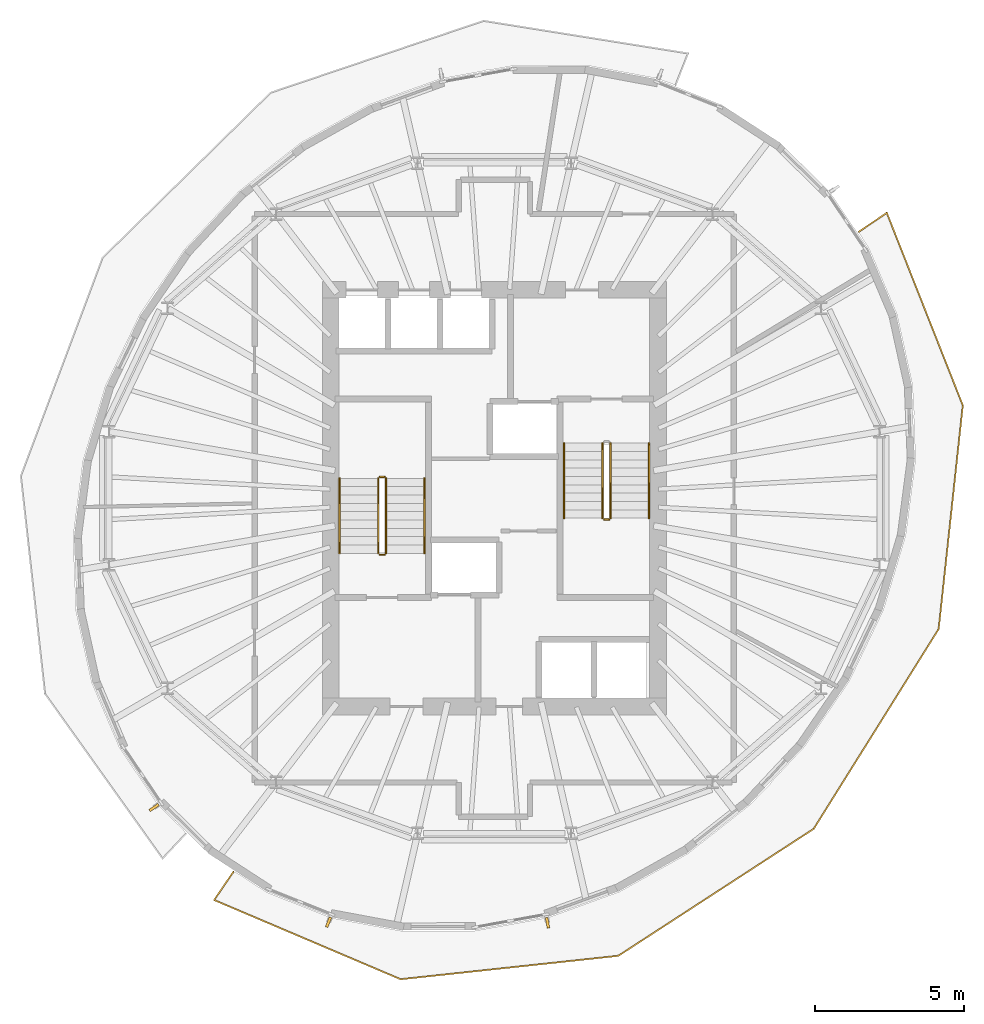
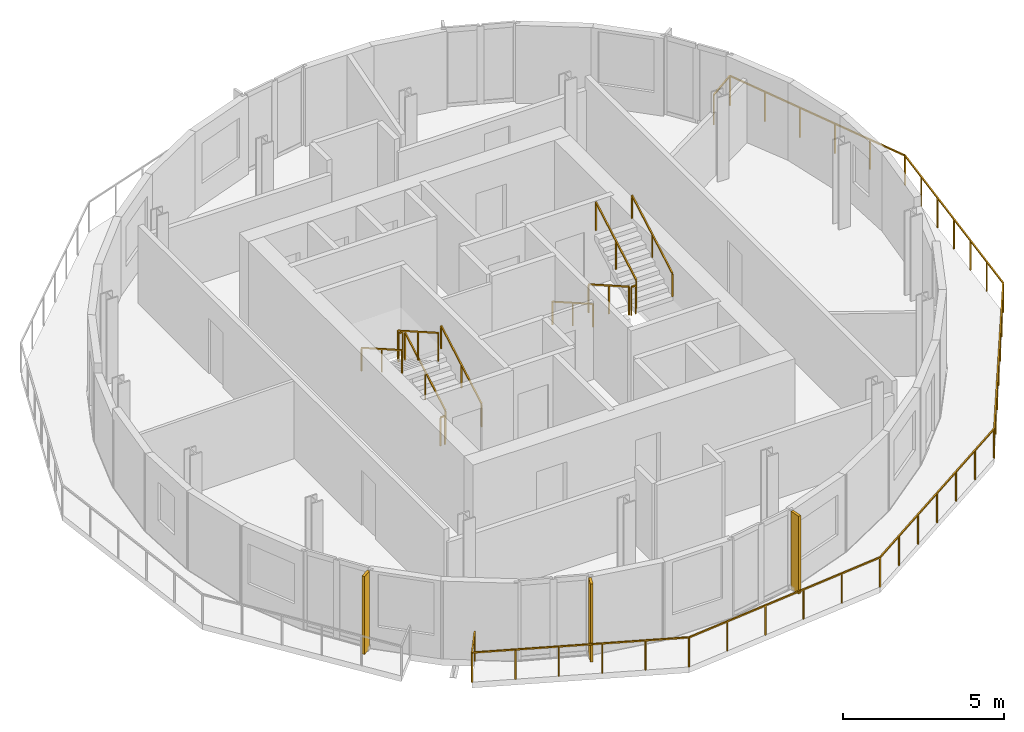
# One storey, part 7 of 9: 12 railings, 3 shading devices.
"""IFC4 building model written with IfcOpenShell, lengths in metres."""

import ifcopenshell
import ifcopenshell.guid

model = None  # the IFC model being written
_history = None  # IfcOwnerHistory: only IFC2X3 demands one
_inside = {}  # id of a spatial element -> (the spatial element, [elements in it])
_under = {}  # id of a project, library or spatial element -> (it, [spatial elements below it])
_declared = {}  # id of a project -> (the project, [libraries it declares])
_typed = {}  # id of a type object -> (the type object, [elements of that type])
_made_of = {}  # id of a material, layer set ... -> (it, [elements and type objects made of it])


def new_model(schema):
    """Start an empty IFC model of exactly this schema.

    Asked for "IFC4X3", IfcOpenShell would pick the latest addendum, in which some entities
    have other attributes; the version numbers below select the first issue.
    IFC2X3 requires an IfcOwnerHistory on every rooted entity: one is made here for all.
    """
    global model, _history
    if schema == "IFC4X3":
        model = ifcopenshell.file(schema_version=(4, 3, 0, 0))
    else:
        model = ifcopenshell.file(schema=schema)
    _inside.clear()
    _under.clear()
    _declared.clear()
    _typed.clear()
    _made_of.clear()
    _history = None
    if model.schema == "IFC2X3":
        org = make("IfcOrganization", Name="unknown")
        user = make(
            "IfcPersonAndOrganization",
            ThePerson=make("IfcPerson", FamilyName="unknown"),
            TheOrganization=org,
        )
        app = make(
            "IfcApplication",
            ApplicationDeveloper=org,
            Version="unknown",
            ApplicationFullName="unknown",
            ApplicationIdentifier="unknown",
        )
        _history = make(
            "IfcOwnerHistory",
            OwningUser=user,
            OwningApplication=app,
            ChangeAction="ADDED",
            CreationDate=0,
        )
    return model


def make(cls, **values):
    """One entity of the class cls with the attributes given. An attribute that is None is left unset."""
    return model.create_entity(
        cls, **{name: value for name, value in values.items() if value is not None}
    )


def rooted(cls, **values):
    """An entity with a GlobalId (a new one), such as an element, a storey or a relation."""
    return make(cls, GlobalId=ifcopenshell.guid.new(), OwnerHistory=_history, **values)


def si_unit(unit_type, name, prefix=None):
    """IfcSIUnit, for example si_unit("LENGTHUNIT", "METRE", prefix="MILLI")."""
    return make("IfcSIUnit", UnitType=unit_type, Prefix=prefix, Name=name)


def assignment(units):
    """IfcUnitAssignment: the units of a project."""
    return None if units is None else make("IfcUnitAssignment", Units=units)


def point(xyz):
    """IfcCartesianPoint."""
    return None if xyz is None else make("IfcCartesianPoint", Coordinates=xyz)


def direction(xyz):
    """IfcDirection."""
    return None if xyz is None else make("IfcDirection", DirectionRatios=xyz)


def frame(location, z_axis=None, x_axis=None):
    """IfcAxis2Placement3D, a coordinate frame: its origin and axes. An axis left out is left unset."""
    return make(
        "IfcAxis2Placement3D",
        Location=point(location),
        Axis=direction(z_axis),
        RefDirection=direction(x_axis),
    )


def frame_2d(location, x_axis=None):
    """IfcAxis2Placement2D, a coordinate frame in the plane: its origin and x axis."""
    return make(
        "IfcAxis2Placement2D", Location=point(location), RefDirection=direction(x_axis)
    )


def origin():
    """The frame at (0, 0, 0) with its axes left unset."""
    return frame((0.0, 0.0, 0.0))


def origin_2d():
    """The frame at (0, 0) in the plane with its x axis left unset."""
    return frame_2d((0.0, 0.0))


def place(relative_to, where):
    """IfcLocalPlacement: puts the frame where relative to a parent placement (None: the world)."""
    return make(
        "IfcLocalPlacement", PlacementRelTo=relative_to, RelativePlacement=where
    )


def context(
    kind, dimensions, precision=None, world=None, true_north=None, identifier=None
):
    """IfcGeometricRepresentationContext, for example the 3D "Model" context."""
    return make(
        "IfcGeometricRepresentationContext",
        ContextIdentifier=identifier,
        ContextType=kind,
        CoordinateSpaceDimension=dimensions,
        Precision=precision,
        WorldCoordinateSystem=world,
        TrueNorth=true_north,
    )


def subcontext(parent, identifier, kind, view, scale=None):
    """IfcGeometricRepresentationSubContext, for example "Body" below "Model"."""
    return make(
        "IfcGeometricRepresentationSubContext",
        ContextIdentifier=identifier,
        ContextType=kind,
        ParentContext=parent,
        TargetScale=scale,
        TargetView=view,
    )


def project(units=None, contexts=None):
    """IfcProject with its units and contexts."""
    return rooted(
        "IfcProject",
        Name="project",
        RepresentationContexts=contexts,
        UnitsInContext=assignment(units),
    )


def spatial(cls, under=None, at=None, **own):
    """A site, building, storey or space (cls), placed at a placement, below another one or the project."""
    s = rooted(cls, ObjectPlacement=at, **own)
    if under is not None:
        _under.setdefault(under.id(), (under, []))[1].append(s)
    return s


def profile(cls, at=None, kind="AREA", **sizes):
    """A parametric profile (cls). Its sizes go by their IFC names, for example OverallWidth=200.0."""
    return make(cls, ProfileType=kind, Position=at, **sizes)


def rectangle(**sizes):
    """IfcRectangleProfileDef."""
    return profile("IfcRectangleProfileDef", **sizes)


def extrude(swept, where, along, depth):
    """IfcExtrudedAreaSolid: the profile swept, set in the frame where, extruded along a direction by depth."""
    return make(
        "IfcExtrudedAreaSolid",
        SweptArea=swept,
        Position=where,
        ExtrudedDirection=direction(along),
        Depth=depth,
    )


def shape(context_of_items, identifier, shape_type, items):
    """IfcShapeRepresentation: the items that make up one representation, for example the "Body"."""
    return make(
        "IfcShapeRepresentation",
        ContextOfItems=context_of_items,
        RepresentationIdentifier=identifier,
        RepresentationType=shape_type,
        Items=items,
    )


def material(Name=None, Category=None):
    """IfcMaterial."""
    return make("IfcMaterial", Name=Name, Category=Category)


def layer(
    of_material, thickness, ventilated=None, Name=None, Category=None, Priority=None
):
    """IfcMaterialLayer: one layer of a wall or slab, of a material (None: an air gap)."""
    return make(
        "IfcMaterialLayer",
        Material=of_material,
        LayerThickness=thickness,
        IsVentilated=ventilated,
        Name=Name,
        Category=Category,
        Priority=Priority,
    )


def layer_set(layers, Name=None):
    """IfcMaterialLayerSet."""
    return make("IfcMaterialLayerSet", MaterialLayers=layers, LayerSetName=Name)


def made_of(thing, what):
    """Note that an element or type object is made of a material, layer set ...; save() writes the relation."""
    if what is not None:
        _made_of.setdefault(what.id(), (what, []))[1].append(thing)
    return thing


def type_object(cls, material=None, **own):
    """A type object (cls), such as IfcWallType, which elements share."""
    return made_of(rooted(cls, **own), material)


def element(
    cls,
    number,
    at=None,
    inside=None,
    cuts=None,
    type_object=None,
    material=None,
    context=None,
    identifier="Body",
    shape_type=None,
    held_by="IfcProductDefinitionShape",
    body=None,
    shapes=None,
    **own,
):
    """One element of the class cls, such as IfcWall. Its Tag is "e" and its number.

    at: its placement. inside: the storey or other place that contains it. cuts: it is an
    opening in that element (IfcRelVoidsElement). A single representation is given by context,
    identifier, shape_type and body (its items); several are given by shapes. held_by: the class
    of the entity that holds the representations. save() writes the other relations.
    """
    e = rooted(cls, Tag="e%d" % number, ObjectPlacement=at, **own)
    if body is not None:
        shapes = [shape(context, identifier, shape_type, body)]
    if shapes is not None:
        e.Representation = make(held_by, Representations=shapes)
    if inside is not None:
        _inside.setdefault(inside.id(), (inside, []))[1].append(e)
    if cuts is not None:
        rooted(
            "IfcRelVoidsElement", RelatingBuildingElement=cuts, RelatedOpeningElement=e
        )
    if type_object is not None:
        _typed.setdefault(type_object.id(), (type_object, []))[1].append(e)
    return made_of(e, material)


def aggregate(whole, parts):
    """IfcRelAggregates: a whole, such as a stair, and the parts it consists of."""
    return rooted("IfcRelAggregates", RelatingObject=whole, RelatedObjects=parts)


def save(model, path):
    """Write the relations noted so far, then the file.

    IfcRelAggregates (storeys below a building ...), IfcRelContainedInSpatialStructure (elements
    in a storey), IfcRelDefinesByType, IfcRelAssociatesMaterial and IfcRelDeclares: one each for
    every whole, place, type object, material and project.
    """
    for whole, parts in _under.values():
        aggregate(whole, parts)
    for where, things in _inside.values():
        rooted(
            "IfcRelContainedInSpatialStructure",
            RelatedElements=things,
            RelatingStructure=where,
        )
    for kind, things in _typed.values():
        rooted("IfcRelDefinesByType", RelatedObjects=things, RelatingType=kind)
    for what, things in _made_of.values():
        rooted("IfcRelAssociatesMaterial", RelatedObjects=things, RelatingMaterial=what)
    for by, libraries in _declared.values():
        rooted("IfcRelDeclares", RelatingContext=by, RelatedDefinitions=libraries)
    model.write(path)


model = new_model("IFC4")

# Units and contexts
model_context = context("Model", 3, precision=1e-05, world=origin(), true_north=direction((0.0, 1.0)))
body_context = subcontext(model_context, "Body", "Model", "MODEL_VIEW")
ifc_project = project(units=[si_unit("LENGTHUNIT", "METRE"), si_unit("AREAUNIT", "SQUARE_METRE"), si_unit("VOLUMEUNIT", "CUBIC_METRE"), si_unit("PLANEANGLEUNIT", "RADIAN"), si_unit("MASSUNIT", "GRAM", prefix="KILO")], contexts=[model_context])

# Site, building, storey
site_placement = place(None, origin())
site = spatial("IfcSite", under=ifc_project, at=site_placement, CompositionType="ELEMENT")
building_placement = place(site_placement, origin())
building = spatial("IfcBuilding", under=site, at=building_placement, Name="Veldorim Arch Residences", CompositionType="ELEMENT")
storey_placement = place(building_placement, frame((0.0, 0.0, 204.639892578125)))
storey = spatial("IfcBuildingStorey", under=building, at=storey_placement, Name="L61", CompositionType="ELEMENT", Elevation=204.639892578125)

# Railings
ifc_material_1 = material(Name="Aluminium", Category="aluminium")
railing_type_1 = type_object("IfcRailingType", Name="Balcony & Terrace Laminated Glass Balustrade 1150", PredefinedType="BALUSTRADE", material=ifc_material_1)
railing_1_placement = place(storey_placement, frame((23.23388671875, 11.44921875, 0.0)))
element("IfcRailing", 1, at=railing_1_placement, inside=storey, type_object=railing_type_1, Name="L61 crescent balcony safety balustrade B", PredefinedType="BALUSTRADE", context=body_context, shape_type="SweptSolid", body=[
    extrude(rectangle(XDim=0.048095703125, YDim=0.048095703125, at=origin_2d()), frame((0.0, 0.0, 1.1259765625), z_axis=(-0.564364181434, -0.825525935822, 0.0), x_axis=(0.825525935822, -0.564364181434, 0.0)), (0.0, 0.0, 1.0), 1.14990234375),
    extrude(rectangle(XDim=0.048095703125, YDim=0.048095703125, at=origin_2d()), frame((-0.64892578125, -0.94921875, 1.1259765625), z_axis=(0.920348019148, -0.391100400984, 0.0), x_axis=(0.391100400984, 0.920348019148, 0.0)), (0.0, 0.0, 1.0), 6.809326171875),
    extrude(rectangle(XDim=0.048095703125, YDim=0.048095703125, at=origin_2d()), frame((5.617919921875, -3.6123046875, 1.1259765625), z_axis=(0.994253151053, 0.107054526394, 0.0), x_axis=(-0.107054526394, 0.994253151053, 0.0)), (0.0, 0.0, 1.0), 7.35693359375),
    extrude(rectangle(XDim=0.048095703125, YDim=0.048095703125, at=origin_2d()), frame((12.9326171875, -2.82470703125, 1.1259765625), z_axis=(0.838501303657, 0.544899590535, 0.0), x_axis=(-0.544899590535, 0.838501303657, 0.0)), (0.0, 0.0, 1.0), 7.831298828125),
    extrude(rectangle(XDim=0.048095703125, YDim=0.048095703125, at=origin_2d()), frame((19.499267578125, 1.442626953125, 1.1259765625), z_axis=(0.53010978239, 0.847929017439, 0.0), x_axis=(-0.847929017439, 0.53010978239, 0.0)), (0.0, 0.0, 1.0), 7.919189453125),
    extrude(rectangle(XDim=0.048095703125, YDim=0.048095703125, at=origin_2d()), frame((23.697265625, 8.157470703125, 1.1259765625), z_axis=(0.1072815657, 0.994228678756, 0.0), x_axis=(-0.994228678756, 0.1072815657, 0.0)), (0.0, 0.0, 1.0), 7.555419921875),
    extrude(rectangle(XDim=0.048095703125, YDim=0.048095703125, at=origin_2d()), frame((24.5078125, 15.669189453125, 1.1259765625), z_axis=(-0.367205688445, 0.930139764967, 0.0), x_axis=(-0.930139764967, -0.367205688445, 0.0)), (0.0, 0.0, 1.0), 6.95654296875),
    extrude(rectangle(XDim=0.048095703125, YDim=0.048095703125, at=origin_2d()), frame((21.953369140625, 22.1396484375, 1.1259765625), z_axis=(-0.828671458778, -0.559735306557, 0.0), x_axis=(0.559735306557, -0.828671458778, 0.0)), (0.0, 0.0, 1.0), 1.150146484375),
    extrude(rectangle(XDim=0.0419921875, YDim=0.0419921875, at=origin_2d()), origin(), (0.0, 0.0, 1.0), 1.101806640625),
    extrude(rectangle(XDim=0.0419921875, YDim=0.0419921875, at=origin_2d()), frame((-0.64892578125, -0.94921875, 0.0)), (0.0, 0.0, 1.0), 1.101806640625),
    extrude(rectangle(XDim=0.0419921875, YDim=0.0419921875, at=origin_2d()), frame((0.6044921875, -1.48193359375, 0.0)), (0.0, 0.0, 1.0), 1.101806640625),
    extrude(rectangle(XDim=0.0419921875, YDim=0.0419921875, at=origin_2d()), frame((1.85791015625, -2.014404296875, 0.0)), (0.0, 0.0, 1.0), 1.101806640625),
    extrude(rectangle(XDim=0.0419921875, YDim=0.0419921875, at=origin_2d()), frame((3.111083984375, -2.547119140625, 0.0)), (0.0, 0.0, 1.0), 1.101806640625),
    extrude(rectangle(XDim=0.0419921875, YDim=0.0419921875, at=origin_2d()), frame((4.364501953125, -3.07958984375, 0.0)), (0.0, 0.0, 1.0), 1.101806640625),
    extrude(rectangle(XDim=0.0419921875, YDim=0.0419921875, at=origin_2d()), frame((5.617919921875, -3.6123046875, 0.0)), (0.0, 0.0, 1.0), 1.101806640625),
    extrude(rectangle(XDim=0.0419921875, YDim=0.0419921875, at=origin_2d()), frame((7.080810546875, -3.454833984375, 0.0)), (0.0, 0.0, 1.0), 1.101806640625),
    extrude(rectangle(XDim=0.0419921875, YDim=0.0419921875, at=origin_2d()), frame((8.543701171875, -3.29736328125, 0.0)), (0.0, 0.0, 1.0), 1.101806640625),
    extrude(rectangle(XDim=0.0419921875, YDim=0.0419921875, at=origin_2d()), frame((10.0068359375, -3.1396484375, 0.0)), (0.0, 0.0, 1.0), 1.101806640625),
    extrude(rectangle(XDim=0.0419921875, YDim=0.0419921875, at=origin_2d()), frame((11.4697265625, -2.982177734375, 0.0)), (0.0, 0.0, 1.0), 1.101806640625),
    extrude(rectangle(XDim=0.0419921875, YDim=0.0419921875, at=origin_2d()), frame((12.9326171875, -2.82470703125, 0.0)), (0.0, 0.0, 1.0), 1.101806640625),
    extrude(rectangle(XDim=0.0419921875, YDim=0.0419921875, at=origin_2d()), frame((14.027099609375, -2.113525390625, 0.0)), (0.0, 0.0, 1.0), 1.101806640625),
    extrude(rectangle(XDim=0.0419921875, YDim=0.0419921875, at=origin_2d()), frame((15.12158203125, -1.40234375, 0.0)), (0.0, 0.0, 1.0), 1.101806640625),
    extrude(rectangle(XDim=0.0419921875, YDim=0.0419921875, at=origin_2d()), frame((16.2158203125, -0.69091796875, 0.0)), (0.0, 0.0, 1.0), 1.101806640625),
    extrude(rectangle(XDim=0.0419921875, YDim=0.0419921875, at=origin_2d()), frame((17.310302734375, 0.020263671875, 0.0)), (0.0, 0.0, 1.0), 1.101806640625),
    extrude(rectangle(XDim=0.0419921875, YDim=0.0419921875, at=origin_2d()), frame((18.40478515625, 0.7314453125, 0.0)), (0.0, 0.0, 1.0), 1.101806640625),
    extrude(rectangle(XDim=0.0419921875, YDim=0.0419921875, at=origin_2d()), frame((19.499267578125, 1.442626953125, 0.0)), (0.0, 0.0, 1.0), 1.101806640625),
    extrude(rectangle(XDim=0.0419921875, YDim=0.0419921875, at=origin_2d()), frame((20.198974609375, 2.561767578125, 0.0)), (0.0, 0.0, 1.0), 1.101806640625),
    extrude(rectangle(XDim=0.0419921875, YDim=0.0419921875, at=origin_2d()), frame((20.898681640625, 3.680908203125, 0.0)), (0.0, 0.0, 1.0), 1.101806640625),
    extrude(rectangle(XDim=0.0419921875, YDim=0.0419921875, at=origin_2d()), frame((21.59814453125, 4.800048828125, 0.0)), (0.0, 0.0, 1.0), 1.101806640625),
    extrude(rectangle(XDim=0.0419921875, YDim=0.0419921875, at=origin_2d()), frame((22.2978515625, 5.919189453125, 0.0)), (0.0, 0.0, 1.0), 1.101806640625),
    extrude(rectangle(XDim=0.0419921875, YDim=0.0419921875, at=origin_2d()), frame((22.99755859375, 7.038330078125, 0.0)), (0.0, 0.0, 1.0), 1.101806640625),
    extrude(rectangle(XDim=0.0419921875, YDim=0.0419921875, at=origin_2d()), frame((23.697265625, 8.157470703125, 0.0)), (0.0, 0.0, 1.0), 1.101806640625),
    extrude(rectangle(XDim=0.0419921875, YDim=0.0419921875, at=origin_2d()), frame((23.832275390625, 9.409423828125, 0.0)), (0.0, 0.0, 1.0), 1.101806640625),
    extrude(rectangle(XDim=0.0419921875, YDim=0.0419921875, at=origin_2d()), frame((23.967529296875, 10.661376953125, 0.0)), (0.0, 0.0, 1.0), 1.101806640625),
    extrude(rectangle(XDim=0.0419921875, YDim=0.0419921875, at=origin_2d()), frame((24.1025390625, 11.913330078125, 0.0)), (0.0, 0.0, 1.0), 1.101806640625),
    extrude(rectangle(XDim=0.0419921875, YDim=0.0419921875, at=origin_2d()), frame((24.237548828125, 13.165283203125, 0.0)), (0.0, 0.0, 1.0), 1.101806640625),
    extrude(rectangle(XDim=0.0419921875, YDim=0.0419921875, at=origin_2d()), frame((24.372802734375, 14.417236328125, 0.0)), (0.0, 0.0, 1.0), 1.101806640625),
    extrude(rectangle(XDim=0.0419921875, YDim=0.0419921875, at=origin_2d()), frame((24.5078125, 15.669189453125, 0.0)), (0.0, 0.0, 1.0), 1.101806640625),
    extrude(rectangle(XDim=0.0419921875, YDim=0.0419921875, at=origin_2d()), frame((23.996826171875, 16.96337890625, 0.0)), (0.0, 0.0, 1.0), 1.101806640625),
    extrude(rectangle(XDim=0.0419921875, YDim=0.0419921875, at=origin_2d()), frame((23.486083984375, 18.25732421875, 0.0)), (0.0, 0.0, 1.0), 1.101806640625),
    extrude(rectangle(XDim=0.0419921875, YDim=0.0419921875, at=origin_2d()), frame((22.97509765625, 19.551513671875, 0.0)), (0.0, 0.0, 1.0), 1.101806640625),
    extrude(rectangle(XDim=0.0419921875, YDim=0.0419921875, at=origin_2d()), frame((22.46435546875, 20.845458984375, 0.0)), (0.0, 0.0, 1.0), 1.101806640625),
    extrude(rectangle(XDim=0.0419921875, YDim=0.0419921875, at=origin_2d()), frame((21.953369140625, 22.1396484375, 0.0)), (0.0, 0.0, 1.0), 1.101806640625),
    extrude(rectangle(XDim=0.0419921875, YDim=0.0419921875, at=origin_2d()), frame((21.000244140625, 21.495849609375, 0.0)), (0.0, 0.0, 1.0), 1.101806640625),
])
ifc_material_2 = material(Name="Steel S355", Category="steel")
railing_type_2 = type_object("IfcRailingType", Name="Galvanised Steel Stair Safety Guardrail 1100", PredefinedType="GUARDRAIL", material=ifc_material_2)
railing_2_placement = place(storey_placement, frame((28.360107421875, 22.14990234375, 0.16015625)))
element("IfcRailing", 2, at=railing_2_placement, inside=storey, type_object=railing_type_2, Name="L61 ST-1 stair guard 1", PredefinedType="GUARDRAIL", context=body_context, shape_type="SweptSolid", body=[
    extrude(rectangle(XDim=0.048095703125, YDim=0.048095703125, at=origin_2d()), frame((0.0, 0.0, 1.076171875), z_axis=(0.0, 0.868253494771, 0.496120820787), x_axis=(-1.0, 0.0, 0.0)), (0.0, 0.0, 1.0), 2.90234375),
    extrude(rectangle(XDim=0.0419921875, YDim=0.0419921875, at=origin_2d()), origin(), (0.0, 0.0, 1.0), 1.052001953125),
    extrude(rectangle(XDim=0.0419921875, YDim=0.0419921875, at=origin_2d()), frame((0.0, 1.260009765625, 0.719970703125)), (0.0, 0.0, 1.0), 1.052001953125),
    extrude(rectangle(XDim=0.0419921875, YDim=0.0419921875, at=origin_2d()), frame((0.0, 2.52001953125, 1.43994140625)), (0.0, 0.0, 1.0), 1.052001953125),
])
railing_3_placement = place(storey_placement, frame((28.31005859375, 24.719970703125, 1.60009765625)))
element("IfcRailing", 3, at=railing_3_placement, inside=storey, type_object=railing_type_2, Name="L61 ST-1 stair guard 2", PredefinedType="GUARDRAIL", context=body_context, shape_type="SweptSolid", body=[
    extrude(rectangle(XDim=0.048095703125, YDim=0.048095703125, at=origin_2d()), frame((0.0, 0.0, 1.076171875), z_axis=(-1.0, 0.0, 0.0), x_axis=(0.0, -1.0, 0.0)), (0.0, 0.0, 1.0), 0.16015625),
    extrude(rectangle(XDim=0.0419921875, YDim=0.0419921875, at=origin_2d()), origin(), (0.0, 0.0, 1.0), 1.052001953125),
    extrude(rectangle(XDim=0.0419921875, YDim=0.0419921875, at=origin_2d()), frame((-0.16015625, 0.0, 0.0)), (0.0, 0.0, 1.0), 1.052001953125),
])
railing_4_placement = place(storey_placement, frame((28.10009765625, 24.669921875, 1.760009765625)))
element("IfcRailing", 4, at=railing_4_placement, inside=storey, type_object=railing_type_2, Name="L61 ST-1 stair guard 3", PredefinedType="GUARDRAIL", context=body_context, shape_type="SweptSolid", body=[
    extrude(rectangle(XDim=0.048095703125, YDim=0.048095703125, at=origin_2d()), frame((0.0, 0.0, 1.076171875), z_axis=(0.0, -0.868217259934, 0.496184229447), x_axis=(1.0, 0.0, 0.0)), (0.0, 0.0, 1.0), 2.902587890625),
    extrude(rectangle(XDim=0.0419921875, YDim=0.0419921875, at=origin_2d()), origin(), (0.0, 0.0, 1.0), 1.052001953125),
    extrude(rectangle(XDim=0.0419921875, YDim=0.0419921875, at=origin_2d()), frame((0.0, -1.260009765625, 0.72021484375)), (0.0, 0.0, 1.0), 1.052001953125),
    extrude(rectangle(XDim=0.0419921875, YDim=0.0419921875, at=origin_2d()), frame((0.0, -2.52001953125, 1.440185546875)), (0.0, 0.0, 1.0), 1.052001953125),
])
railing_5_placement = place(storey_placement, frame((28.31005859375, 22.10009765625, 0.0)))
element("IfcRailing", 5, at=railing_5_placement, inside=storey, type_object=railing_type_2, Name="L61 ST-1 stair guard 4", PredefinedType="GUARDRAIL", context=body_context, shape_type="SweptSolid", body=[
    extrude(rectangle(XDim=0.048095703125, YDim=0.048095703125, at=origin_2d()), frame((0.0, 0.0, 1.076171875), z_axis=(-1.0, 0.0, 0.0), x_axis=(0.0, -1.0, 0.0)), (0.0, 0.0, 1.0), 0.16015625),
    extrude(rectangle(XDim=0.0419921875, YDim=0.0419921875, at=origin_2d()), origin(), (0.0, 0.0, 1.0), 1.052001953125),
    extrude(rectangle(XDim=0.0419921875, YDim=0.0419921875, at=origin_2d()), frame((-0.16015625, 0.0, 0.0)), (0.0, 0.0, 1.0), 1.052001953125),
])
railing_6_placement = place(storey_placement, frame((35.639892578125, 25.85009765625, 0.16015625)))
element("IfcRailing", 6, at=railing_6_placement, inside=storey, type_object=railing_type_2, Name="L61 ST-2 stair guard 1", PredefinedType="GUARDRAIL", context=body_context, shape_type="SweptSolid", body=[
    extrude(rectangle(XDim=0.048095703125, YDim=0.048095703125, at=origin_2d()), frame((0.0, 0.0, 1.076171875), z_axis=(0.0, -0.868253494771, 0.496120820787), x_axis=(1.0, 0.0, 0.0)), (0.0, 0.0, 1.0), 2.90234375),
    extrude(rectangle(XDim=0.0419921875, YDim=0.0419921875, at=origin_2d()), origin(), (0.0, 0.0, 1.0), 1.052001953125),
    extrude(rectangle(XDim=0.0419921875, YDim=0.0419921875, at=origin_2d()), frame((0.0, -1.260009765625, 0.719970703125)), (0.0, 0.0, 1.0), 1.052001953125),
    extrude(rectangle(XDim=0.0419921875, YDim=0.0419921875, at=origin_2d()), frame((0.0, -2.52001953125, 1.43994140625)), (0.0, 0.0, 1.0), 1.052001953125),
])
railing_7_placement = place(storey_placement, frame((35.68994140625, 23.280029296875, 1.60009765625)))
element("IfcRailing", 7, at=railing_7_placement, inside=storey, type_object=railing_type_2, Name="L61 ST-2 stair guard 2", PredefinedType="GUARDRAIL", context=body_context, shape_type="SweptSolid", body=[
    extrude(rectangle(XDim=0.048095703125, YDim=0.048095703125, at=origin_2d()), frame((0.0, 0.0, 1.076171875), z_axis=(1.0, 0.0, 0.0), x_axis=(0.0, 1.0, 0.0)), (0.0, 0.0, 1.0), 0.16015625),
    extrude(rectangle(XDim=0.0419921875, YDim=0.0419921875, at=origin_2d()), origin(), (0.0, 0.0, 1.0), 1.052001953125),
    extrude(rectangle(XDim=0.0419921875, YDim=0.0419921875, at=origin_2d()), frame((0.16015625, 0.0, 0.0)), (0.0, 0.0, 1.0), 1.052001953125),
])
railing_8_placement = place(storey_placement, frame((35.89990234375, 23.330078125, 1.760009765625)))
element("IfcRailing", 8, at=railing_8_placement, inside=storey, type_object=railing_type_2, Name="L61 ST-2 stair guard 3", PredefinedType="GUARDRAIL", context=body_context, shape_type="SweptSolid", body=[
    extrude(rectangle(XDim=0.048095703125, YDim=0.048095703125, at=origin_2d()), frame((0.0, 0.0, 1.076171875), z_axis=(0.0, 0.868217259934, 0.496184229447), x_axis=(-1.0, 0.0, 0.0)), (0.0, 0.0, 1.0), 2.902587890625),
    extrude(rectangle(XDim=0.0419921875, YDim=0.0419921875, at=origin_2d()), origin(), (0.0, 0.0, 1.0), 1.052001953125),
    extrude(rectangle(XDim=0.0419921875, YDim=0.0419921875, at=origin_2d()), frame((0.0, 1.260009765625, 0.72021484375)), (0.0, 0.0, 1.0), 1.052001953125),
    extrude(rectangle(XDim=0.0419921875, YDim=0.0419921875, at=origin_2d()), frame((0.0, 2.52001953125, 1.440185546875)), (0.0, 0.0, 1.0), 1.052001953125),
])
ifc_material_3 = material(Name="Stainless Steel", Category="steel")
railing_type_3 = type_object("IfcRailingType", Name="Tubular Steel Continuous Wall Handrail 900", PredefinedType="HANDRAIL", material=ifc_material_3)
railing_9_placement = place(storey_placement, frame((29.659912109375, 22.14990234375, 0.16015625)))
element("IfcRailing", 9, at=railing_9_placement, inside=storey, type_object=railing_type_3, Name="L61 ST-1 stair handrail 1", PredefinedType="HANDRAIL", context=body_context, shape_type="SweptSolid", body=[
    extrude(rectangle(XDim=0.048095703125, YDim=0.048095703125, at=origin_2d()), frame((0.0, 0.0, 0.8759765625), z_axis=(0.0, 0.868253494771, 0.496120820787), x_axis=(-1.0, 0.0, 0.0)), (0.0, 0.0, 1.0), 2.90234375),
    extrude(rectangle(XDim=0.0419921875, YDim=0.0419921875, at=origin_2d()), origin(), (0.0, 0.0, 1.0), 0.851806640625),
    extrude(rectangle(XDim=0.0419921875, YDim=0.0419921875, at=origin_2d()), frame((0.0, 1.260009765625, 0.719970703125)), (0.0, 0.0, 1.0), 0.851806640625),
    extrude(rectangle(XDim=0.0419921875, YDim=0.0419921875, at=origin_2d()), frame((0.0, 2.52001953125, 1.43994140625)), (0.0, 0.0, 1.0), 0.851806640625),
])
railing_10_placement = place(storey_placement, frame((26.800048828125, 24.669921875, 1.760009765625)))
element("IfcRailing", 10, at=railing_10_placement, inside=storey, type_object=railing_type_3, Name="L61 ST-1 stair handrail 2", PredefinedType="HANDRAIL", context=body_context, shape_type="SweptSolid", body=[
    extrude(rectangle(XDim=0.048095703125, YDim=0.048095703125, at=origin_2d()), frame((0.0, 0.0, 0.8759765625), z_axis=(0.0, -0.868217259934, 0.496184229447), x_axis=(1.0, 0.0, 0.0)), (0.0, 0.0, 1.0), 2.902587890625),
    extrude(rectangle(XDim=0.0419921875, YDim=0.0419921875, at=origin_2d()), origin(), (0.0, 0.0, 1.0), 0.851806640625),
    extrude(rectangle(XDim=0.0419921875, YDim=0.0419921875, at=origin_2d()), frame((0.0, -1.260009765625, 0.72021484375)), (0.0, 0.0, 1.0), 0.851806640625),
    extrude(rectangle(XDim=0.0419921875, YDim=0.0419921875, at=origin_2d()), frame((0.0, -2.52001953125, 1.440185546875)), (0.0, 0.0, 1.0), 0.851806640625),
])
railing_11_placement = place(storey_placement, frame((34.340087890625, 25.85009765625, 0.16015625)))
element("IfcRailing", 11, at=railing_11_placement, inside=storey, type_object=railing_type_3, Name="L61 ST-2 stair handrail 1", PredefinedType="HANDRAIL", context=body_context, shape_type="SweptSolid", body=[
    extrude(rectangle(XDim=0.048095703125, YDim=0.048095703125, at=origin_2d()), frame((0.0, 0.0, 0.8759765625), z_axis=(0.0, -0.868253494771, 0.496120820787), x_axis=(1.0, 0.0, 0.0)), (0.0, 0.0, 1.0), 2.90234375),
    extrude(rectangle(XDim=0.0419921875, YDim=0.0419921875, at=origin_2d()), origin(), (0.0, 0.0, 1.0), 0.851806640625),
    extrude(rectangle(XDim=0.0419921875, YDim=0.0419921875, at=origin_2d()), frame((0.0, -1.260009765625, 0.719970703125)), (0.0, 0.0, 1.0), 0.851806640625),
    extrude(rectangle(XDim=0.0419921875, YDim=0.0419921875, at=origin_2d()), frame((0.0, -2.52001953125, 1.43994140625)), (0.0, 0.0, 1.0), 0.851806640625),
])
railing_12_placement = place(storey_placement, frame((37.199951171875, 23.330078125, 1.760009765625)))
element("IfcRailing", 12, at=railing_12_placement, inside=storey, type_object=railing_type_3, Name="L61 ST-2 stair handrail 2", PredefinedType="HANDRAIL", context=body_context, shape_type="SweptSolid", body=[
    extrude(rectangle(XDim=0.048095703125, YDim=0.048095703125, at=origin_2d()), frame((0.0, 0.0, 0.8759765625), z_axis=(0.0, 0.868217259934, 0.496184229447), x_axis=(-1.0, 0.0, 0.0)), (0.0, 0.0, 1.0), 2.902587890625),
    extrude(rectangle(XDim=0.0419921875, YDim=0.0419921875, at=origin_2d()), origin(), (0.0, 0.0, 1.0), 0.851806640625),
    extrude(rectangle(XDim=0.0419921875, YDim=0.0419921875, at=origin_2d()), frame((0.0, 1.260009765625, 0.72021484375)), (0.0, 0.0, 1.0), 0.851806640625),
    extrude(rectangle(XDim=0.0419921875, YDim=0.0419921875, at=origin_2d()), frame((0.0, 2.52001953125, 1.440185546875)), (0.0, 0.0, 1.0), 0.851806640625),
])

# Shading devices
ifc_material_4 = material(Name="Terracotta Ceramic", Category="masonry")
ifc_layer = layer(ifc_material_4, 0.090087890625, Name="Vertical Extruded Terracotta Baguette Sun-Shading Fin")
ifc_layer_set = layer_set([ifc_layer], Name="Terracotta Ceramic")
shading_device_type = type_object("IfcShadingDeviceType", Name="Vertical Extruded Terracotta Baguette Sun-Shading Fin", PredefinedType="USERDEFINED", material=ifc_layer_set)
for number, where, z_axis, x_axis, name in (
    (13, (20.56689453125, 13.607177734375, 0.000244140625), (0.0, 0.0, 1.0), (-0.560783509816, 0.827962472047, 0.0), "L61 vertical terracotta sun-shading fin 17"),
    (14, (26.430419921875, 9.755615234375, 0.000244140625), (0.0, 0.0, 1.0), (-0.92958360888, 0.36861133203, 0.0), "L61 vertical terracotta sun-shading fin 20"),
    (15, (33.786865234375, 9.73388671875, 0.000244140625), (0.0, 0.0, 1.0), (-0.984102751709, -0.177600039637, 0.0), "L61 vertical terracotta sun-shading fin 23"),
):
    element("IfcShadingDevice", number, at=place(storey_placement, frame(where, z_axis=z_axis, x_axis=x_axis)), inside=storey, type_object=shading_device_type, Name=name, ObjectType="FIN", PredefinedType="USERDEFINED", context=body_context, shape_type="SweptSolid", body=[
        extrude(rectangle(XDim=0.090087890625, YDim=0.360107421875, at=origin_2d()), origin(), (0.0, 0.0, 1.0), 2.9599609375),
    ])

save(model, "model.ifc")
